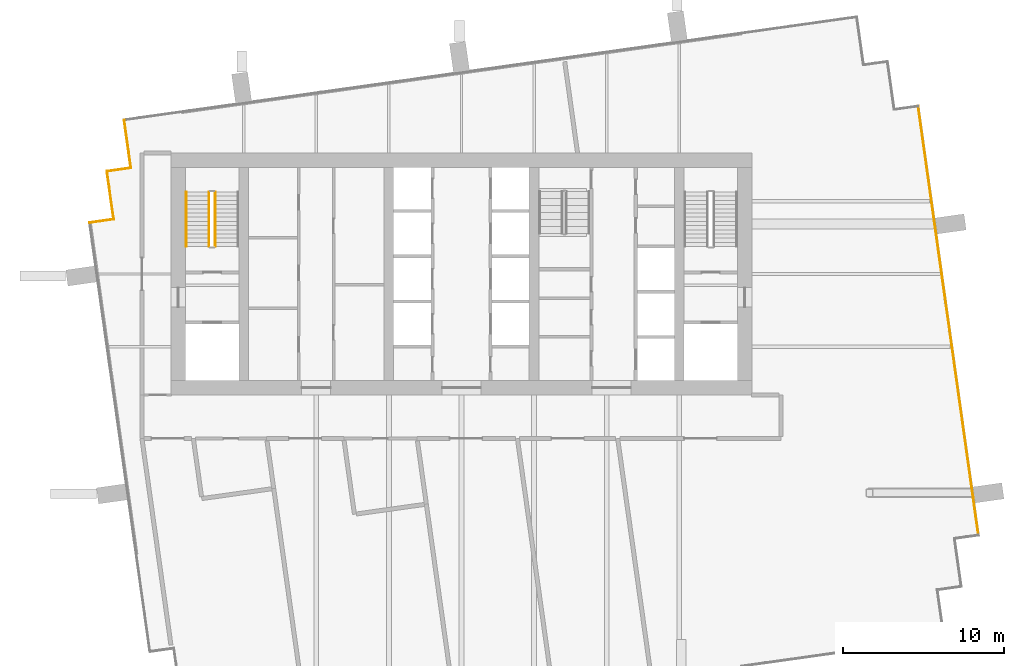
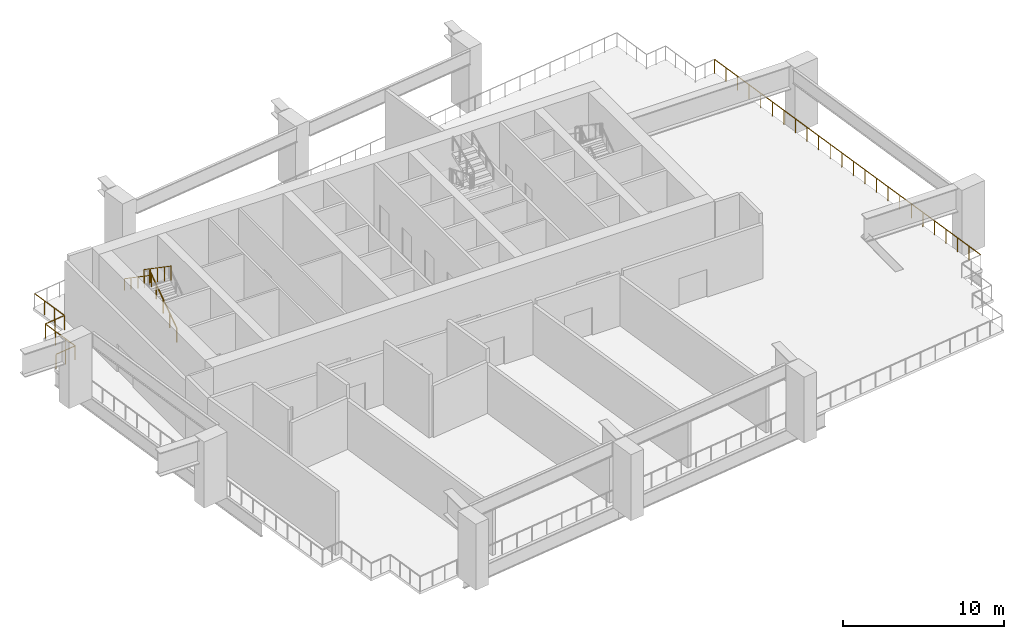
# One storey, part 8 of 10: 8 railings.
"""IFC4 building model written with IfcOpenShell, lengths in metres."""

from ifc_helpers import new_model, si_unit, direction, frame, origin, origin_2d, place, context, subcontext, project, spatial, rectangle, extrude, material, type_object, element, save


model = new_model("IFC4")

# Units and contexts
model_context = context("Model", 3, precision=1e-05, world=origin(), true_north=direction((0.0, 1.0)))
body_context = subcontext(model_context, "Body", "Model", "MODEL_VIEW")
ifc_project = project(units=[si_unit("LENGTHUNIT", "METRE"), si_unit("AREAUNIT", "SQUARE_METRE"), si_unit("VOLUMEUNIT", "CUBIC_METRE"), si_unit("PLANEANGLEUNIT", "RADIAN"), si_unit("MASSUNIT", "GRAM", prefix="KILO")], contexts=[model_context])

# Site, building, storey
site_placement = place(None, origin())
site = spatial("IfcSite", under=ifc_project, at=site_placement, CompositionType="ELEMENT")
building_placement = place(site_placement, origin())
building = spatial("IfcBuilding", under=site, at=building_placement, Name="Rattan Terrace Tower", CompositionType="ELEMENT")
storey_placement = place(building_placement, frame((0.0, 0.0, 244.699951171875)))
storey = spatial("IfcBuildingStorey", under=building, at=storey_placement, Name="L56", CompositionType="ELEMENT", Elevation=244.699951171875)

# Railings
ifc_material_1 = material(Name="Powder-coated steel guard", Category="steel")
railing_type_1 = type_object("IfcRailingType", Name="Core stair guard", PredefinedType="GUARDRAIL", material=ifc_material_1)
railing_1_placement = place(storey_placement, frame((-15.25, 1.699951171875, 0.1787109375)))
element("IfcRailing", 1, at=railing_1_placement, inside=storey, type_object=railing_type_1, Name="L56 S1 stair guard 1", PredefinedType="GUARDRAIL", context=body_context, shape_type="SweptSolid", body=[
    extrude(rectangle(XDim=0.048095703125, YDim=0.048095703125, at=origin_2d()), frame((0.0, 0.0, 1.076171875), z_axis=(0.0, 0.824331935682, 0.566106756552), x_axis=(-1.0, 0.0, 0.0)), (0.0, 0.0, 1.0), 4.100341796875),
    extrude(rectangle(XDim=0.0419921875, YDim=0.0419921875, at=origin_2d()), origin(), (0.0, 0.0, 1.0), 1.052001953125),
    extrude(rectangle(XDim=0.0419921875, YDim=0.0419921875, at=origin_2d()), frame((0.0, 0.844970703125, 0.580322265625)), (0.0, 0.0, 1.0), 1.052001953125),
    extrude(rectangle(XDim=0.0419921875, YDim=0.0419921875, at=origin_2d()), frame((0.0, 1.68994140625, 1.16064453125)), (0.0, 0.0, 1.0), 1.052001953125),
    extrude(rectangle(XDim=0.0419921875, YDim=0.0419921875, at=origin_2d()), frame((0.0, 2.53515625, 1.740966796875)), (0.0, 0.0, 1.0), 1.052001953125),
    extrude(rectangle(XDim=0.0419921875, YDim=0.0419921875, at=origin_2d()), frame((0.0, 3.380126953125, 2.3212890625)), (0.0, 0.0, 1.0), 1.052001953125),
])
railing_2_placement = place(storey_placement, frame((-15.64990234375, 5.080078125, 2.6787109375)))
element("IfcRailing", 2, at=railing_2_placement, inside=storey, type_object=railing_type_1, Name="L56 S1 stair guard 3", PredefinedType="GUARDRAIL", context=body_context, shape_type="SweptSolid", body=[
    extrude(rectangle(XDim=0.048095703125, YDim=0.048095703125, at=origin_2d()), frame((0.0, 0.0, 1.076171875), z_axis=(0.0, -0.824331935682, 0.566106756552), x_axis=(1.0, 0.0, 0.0)), (0.0, 0.0, 1.0), 4.100341796875),
    extrude(rectangle(XDim=0.0419921875, YDim=0.0419921875, at=origin_2d()), origin(), (0.0, 0.0, 1.0), 1.052001953125),
    extrude(rectangle(XDim=0.0419921875, YDim=0.0419921875, at=origin_2d()), frame((0.0, -0.844970703125, 0.580322265625)), (0.0, 0.0, 1.0), 1.052001953125),
    extrude(rectangle(XDim=0.0419921875, YDim=0.0419921875, at=origin_2d()), frame((0.0, -1.68994140625, 1.16064453125)), (0.0, 0.0, 1.0), 1.052001953125),
    extrude(rectangle(XDim=0.0419921875, YDim=0.0419921875, at=origin_2d()), frame((0.0, -2.53515625, 1.740966796875)), (0.0, 0.0, 1.0), 1.052001953125),
    extrude(rectangle(XDim=0.0419921875, YDim=0.0419921875, at=origin_2d()), frame((0.0, -3.380126953125, 2.3212890625)), (0.0, 0.0, 1.0), 1.052001953125),
])
ifc_material_2 = material(Name="Powder-coated steel handrail", Category="steel")
railing_type_2 = type_object("IfcRailingType", Name="Core stair handrail", PredefinedType="HANDRAIL", material=ifc_material_2)
railing_3_placement = place(storey_placement, frame((-17.050048828125, 5.080078125, 2.6787109375)))
element("IfcRailing", 3, at=railing_3_placement, inside=storey, type_object=railing_type_2, Name="L56 S1 stair handrail 2", PredefinedType="HANDRAIL", context=body_context, shape_type="SweptSolid", body=[
    extrude(rectangle(XDim=0.048095703125, YDim=0.048095703125, at=origin_2d()), frame((0.0, 0.0, 0.8759765625), z_axis=(0.0, -0.824331935682, 0.566106756552), x_axis=(1.0, 0.0, 0.0)), (0.0, 0.0, 1.0), 4.100341796875),
    extrude(rectangle(XDim=0.0419921875, YDim=0.0419921875, at=origin_2d()), origin(), (0.0, 0.0, 1.0), 0.851806640625),
    extrude(rectangle(XDim=0.0419921875, YDim=0.0419921875, at=origin_2d()), frame((0.0, -0.844970703125, 0.580322265625)), (0.0, 0.0, 1.0), 0.851806640625),
    extrude(rectangle(XDim=0.0419921875, YDim=0.0419921875, at=origin_2d()), frame((0.0, -1.68994140625, 1.16064453125)), (0.0, 0.0, 1.0), 0.851806640625),
    extrude(rectangle(XDim=0.0419921875, YDim=0.0419921875, at=origin_2d()), frame((0.0, -2.53515625, 1.740966796875)), (0.0, 0.0, 1.0), 0.851806640625),
    extrude(rectangle(XDim=0.0419921875, YDim=0.0419921875, at=origin_2d()), frame((0.0, -3.380126953125, 2.3212890625)), (0.0, 0.0, 1.0), 0.851806640625),
])
ifc_material_3 = material(Name="Stainless steel 316", Category="steel")
railing_type_3 = type_object("IfcRailingType", Name="Facade Guard 1100", PredefinedType="GUARDRAIL", material=ifc_material_3)
railing_4_placement = place(storey_placement, frame((-23.035888671875, 3.181884765625, 0.0)))
element("IfcRailing", 4, at=railing_4_placement, inside=storey, type_object=railing_type_3, Name="Guard L56-7", PredefinedType="GUARDRAIL", context=body_context, shape_type="SweptSolid", body=[
    extrude(rectangle(XDim=0.048095703125, YDim=0.048095703125, at=origin_2d()), frame((0.0, 0.0, 1.076171875), z_axis=(0.990230619015, 0.139439309973, 0.0), x_axis=(-0.139439309973, 0.990230619015, 0.0)), (0.0, 0.0, 1.0), 1.50048828125),
    extrude(rectangle(XDim=0.0419921875, YDim=0.0419921875, at=origin_2d()), origin(), (0.0, 0.0, 1.0), 1.052001953125),
    extrude(rectangle(XDim=0.0419921875, YDim=0.0419921875, at=origin_2d()), frame((0.742919921875, 0.1044921875, 0.0)), (0.0, 0.0, 1.0), 1.052001953125),
])
railing_5_placement = place(storey_placement, frame((-21.550048828125, 3.39111328125, 0.0)))
element("IfcRailing", 5, at=railing_5_placement, inside=storey, type_object=railing_type_3, Name="Guard L56-8", PredefinedType="GUARDRAIL", context=body_context, shape_type="SweptSolid", body=[
    extrude(rectangle(XDim=0.048095703125, YDim=0.048095703125, at=origin_2d()), frame((0.0, 0.0, 1.076171875), z_axis=(-0.139313431826, 0.990248336385, 0.0), x_axis=(-0.990248336385, -0.139313431826, 0.0)), (0.0, 0.0, 1.0), 3.000244140625),
    extrude(rectangle(XDim=0.0419921875, YDim=0.0419921875, at=origin_2d()), origin(), (0.0, 0.0, 1.0), 1.052001953125),
    extrude(rectangle(XDim=0.0419921875, YDim=0.0419921875, at=origin_2d()), frame((-0.139404296875, 0.990234375, 0.0)), (0.0, 0.0, 1.0), 1.052001953125),
    extrude(rectangle(XDim=0.0419921875, YDim=0.0419921875, at=origin_2d()), frame((-0.278564453125, 1.980712890625, 0.0)), (0.0, 0.0, 1.0), 1.052001953125),
])
railing_6_placement = place(storey_placement, frame((-21.968017578125, 6.362060546875, 0.0)))
element("IfcRailing", 6, at=railing_6_placement, inside=storey, type_object=railing_type_3, Name="Guard L56-9", PredefinedType="GUARDRAIL", context=body_context, shape_type="SweptSolid", body=[
    extrude(rectangle(XDim=0.048095703125, YDim=0.048095703125, at=origin_2d()), frame((0.0, 0.0, 1.076171875), z_axis=(0.990333250168, 0.138708520326, 0.0), x_axis=(-0.138708520326, 0.990333250168, 0.0)), (0.0, 0.0, 1.0), 1.49951171875),
    extrude(rectangle(XDim=0.0419921875, YDim=0.0419921875, at=origin_2d()), origin(), (0.0, 0.0, 1.0), 1.052001953125),
    extrude(rectangle(XDim=0.0419921875, YDim=0.0419921875, at=origin_2d()), frame((0.74267578125, 0.10400390625, 0.0)), (0.0, 0.0, 1.0), 1.052001953125),
])
railing_7_placement = place(storey_placement, frame((-20.48291015625, 6.570068359375, 0.0)))
element("IfcRailing", 7, at=railing_7_placement, inside=storey, type_object=railing_type_3, Name="Guard L56-10", PredefinedType="GUARDRAIL", context=body_context, shape_type="SweptSolid", body=[
    extrude(rectangle(XDim=0.048095703125, YDim=0.048095703125, at=origin_2d()), frame((0.0, 0.0, 1.076171875), z_axis=(-0.138994228812, 0.990293191109, 0.0), x_axis=(-0.990293191109, -0.138994228812, 0.0)), (0.0, 0.0, 1.0), 3.0),
    extrude(rectangle(XDim=0.0419921875, YDim=0.0419921875, at=origin_2d()), origin(), (0.0, 0.0, 1.0), 1.052001953125),
    extrude(rectangle(XDim=0.0419921875, YDim=0.0419921875, at=origin_2d()), frame((-0.138916015625, 0.990234375, 0.0)), (0.0, 0.0, 1.0), 1.052001953125),
    extrude(rectangle(XDim=0.0419921875, YDim=0.0419921875, at=origin_2d()), frame((-0.278076171875, 1.980712890625, 0.0)), (0.0, 0.0, 1.0), 1.052001953125),
])
railing_8_placement = place(storey_placement, frame((28.300048828125, 10.39697265625, 0.0)))
element("IfcRailing", 8, at=railing_8_placement, inside=storey, type_object=railing_type_3, Name="Guard L56-16", PredefinedType="GUARDRAIL", context=body_context, shape_type="SweptSolid", body=[
    extrude(rectangle(XDim=0.048095703125, YDim=0.048095703125, at=origin_2d()), frame((0.0, 0.0, 1.076171875), z_axis=(0.139188630069, -0.990265886143, 0.0), x_axis=(0.990265886143, 0.139188630069, 0.0)), (0.0, 0.0, 1.0), 26.840087890625),
    extrude(rectangle(XDim=0.0419921875, YDim=0.0419921875, at=origin_2d()), origin(), (0.0, 0.0, 1.0), 1.052001953125),
    extrude(rectangle(XDim=0.0419921875, YDim=0.0419921875, at=origin_2d()), frame((0.162353515625, -1.155517578125, 0.0)), (0.0, 0.0, 1.0), 1.052001953125),
    extrude(rectangle(XDim=0.0419921875, YDim=0.0419921875, at=origin_2d()), frame((0.324951171875, -2.311279296875, 0.0)), (0.0, 0.0, 1.0), 1.052001953125),
    extrude(rectangle(XDim=0.0419921875, YDim=0.0419921875, at=origin_2d()), frame((0.4873046875, -3.466796875, 0.0)), (0.0, 0.0, 1.0), 1.052001953125),
    extrude(rectangle(XDim=0.0419921875, YDim=0.0419921875, at=origin_2d()), frame((0.649658203125, -4.622314453125, 0.0)), (0.0, 0.0, 1.0), 1.052001953125),
    extrude(rectangle(XDim=0.0419921875, YDim=0.0419921875, at=origin_2d()), frame((0.812255859375, -5.778076171875, 0.0)), (0.0, 0.0, 1.0), 1.052001953125),
    extrude(rectangle(XDim=0.0419921875, YDim=0.0419921875, at=origin_2d()), frame((0.974609375, -6.93359375, 0.0)), (0.0, 0.0, 1.0), 1.052001953125),
    extrude(rectangle(XDim=0.0419921875, YDim=0.0419921875, at=origin_2d()), frame((1.136962890625, -8.089111328125, 0.0)), (0.0, 0.0, 1.0), 1.052001953125),
    extrude(rectangle(XDim=0.0419921875, YDim=0.0419921875, at=origin_2d()), frame((1.29931640625, -9.244873046875, 0.0)), (0.0, 0.0, 1.0), 1.052001953125),
    extrude(rectangle(XDim=0.0419921875, YDim=0.0419921875, at=origin_2d()), frame((1.4619140625, -10.400390625, 0.0)), (0.0, 0.0, 1.0), 1.052001953125),
    extrude(rectangle(XDim=0.0419921875, YDim=0.0419921875, at=origin_2d()), frame((1.624267578125, -11.555908203125, 0.0)), (0.0, 0.0, 1.0), 1.052001953125),
    extrude(rectangle(XDim=0.0419921875, YDim=0.0419921875, at=origin_2d()), frame((1.78662109375, -12.711669921875, 0.0)), (0.0, 0.0, 1.0), 1.052001953125),
    extrude(rectangle(XDim=0.0419921875, YDim=0.0419921875, at=origin_2d()), frame((1.94921875, -13.8671875, 0.0)), (0.0, 0.0, 1.0), 1.052001953125),
    extrude(rectangle(XDim=0.0419921875, YDim=0.0419921875, at=origin_2d()), frame((2.111572265625, -15.02294921875, 0.0)), (0.0, 0.0, 1.0), 1.052001953125),
    extrude(rectangle(XDim=0.0419921875, YDim=0.0419921875, at=origin_2d()), frame((2.27392578125, -16.178466796875, 0.0)), (0.0, 0.0, 1.0), 1.052001953125),
    extrude(rectangle(XDim=0.0419921875, YDim=0.0419921875, at=origin_2d()), frame((2.4365234375, -17.333984375, 0.0)), (0.0, 0.0, 1.0), 1.052001953125),
    extrude(rectangle(XDim=0.0419921875, YDim=0.0419921875, at=origin_2d()), frame((2.598876953125, -18.48974609375, 0.0)), (0.0, 0.0, 1.0), 1.052001953125),
    extrude(rectangle(XDim=0.0419921875, YDim=0.0419921875, at=origin_2d()), frame((2.76123046875, -19.645263671875, 0.0)), (0.0, 0.0, 1.0), 1.052001953125),
    extrude(rectangle(XDim=0.0419921875, YDim=0.0419921875, at=origin_2d()), frame((2.923583984375, -20.80078125, 0.0)), (0.0, 0.0, 1.0), 1.052001953125),
    extrude(rectangle(XDim=0.0419921875, YDim=0.0419921875, at=origin_2d()), frame((3.086181640625, -21.95654296875, 0.0)), (0.0, 0.0, 1.0), 1.052001953125),
    extrude(rectangle(XDim=0.0419921875, YDim=0.0419921875, at=origin_2d()), frame((3.24853515625, -23.112060546875, 0.0)), (0.0, 0.0, 1.0), 1.052001953125),
    extrude(rectangle(XDim=0.0419921875, YDim=0.0419921875, at=origin_2d()), frame((3.410888671875, -24.267578125, 0.0)), (0.0, 0.0, 1.0), 1.052001953125),
    extrude(rectangle(XDim=0.0419921875, YDim=0.0419921875, at=origin_2d()), frame((3.573486328125, -25.42333984375, 0.0)), (0.0, 0.0, 1.0), 1.052001953125),
])

save(model, "model.ifc")
